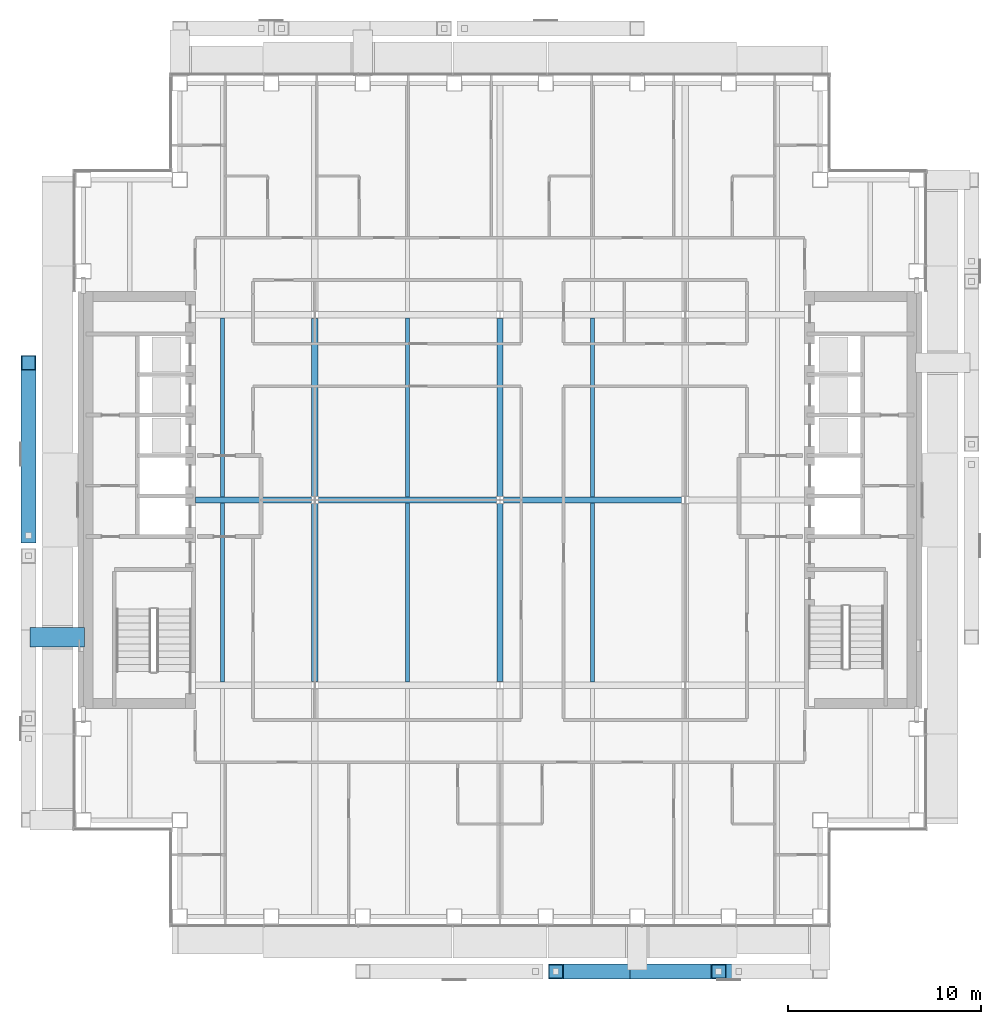
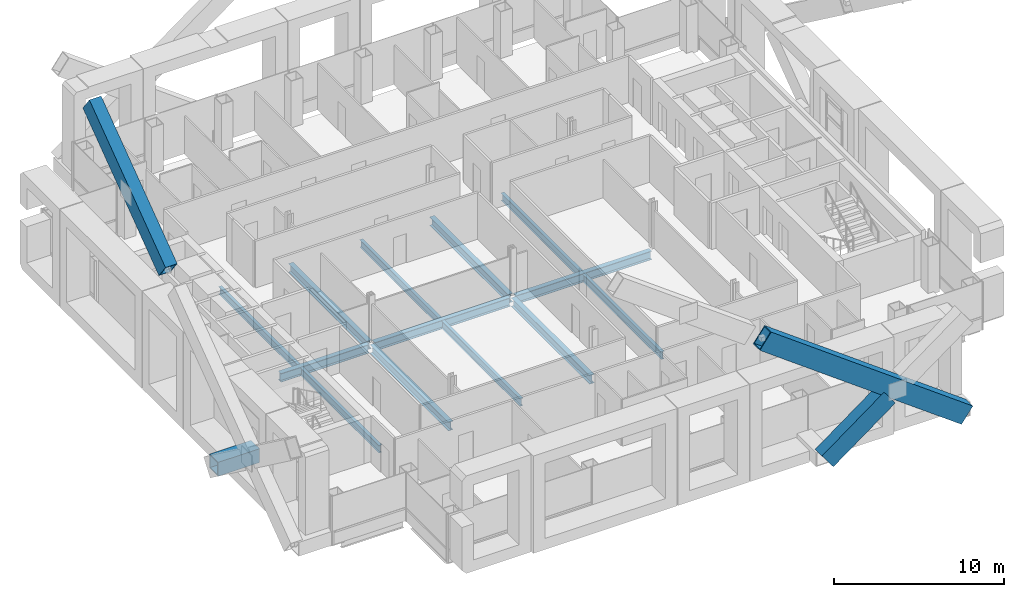
# One storey, part 5 of 22: 14 beams, 3 members.
"""IFC4 building model written with IfcOpenShell, lengths in metres."""

from ifc_helpers import new_model, si_unit, direction, frame, origin, origin_2d, place, context, subcontext, project, spatial, hollow_rectangle, i_section, extrude, material, material_profile, profile_set, type_object, element, save


model = new_model("IFC4")

# Units and contexts
model_context = context("Model", 3, precision=1e-05, world=origin(), true_north=direction((0.0, 1.0)))
body_context = subcontext(model_context, "Body", "Model", "MODEL_VIEW")
ifc_project = project(units=[si_unit("LENGTHUNIT", "METRE"), si_unit("AREAUNIT", "SQUARE_METRE"), si_unit("VOLUMEUNIT", "CUBIC_METRE"), si_unit("PLANEANGLEUNIT", "RADIAN"), si_unit("MASSUNIT", "GRAM", prefix="KILO")], contexts=[model_context])

# Site, building, storey
site_placement = place(None, origin())
site = spatial("IfcSite", under=ifc_project, at=site_placement, CompositionType="ELEMENT")
building_placement = place(site_placement, origin())
building = spatial("IfcBuilding", under=site, at=building_placement, Name="Cobrizo Arcos Hotel Tower", CompositionType="ELEMENT")
storey_placement = place(building_placement, frame((0.0, 0.0, 169.0)))
storey = spatial("IfcBuildingStorey", under=building, at=storey_placement, Name="L43", CompositionType="ELEMENT", Elevation=169.0)

# Beam
ifc_material_1 = material(Name="Steel ASTM A572 Grade 50", Category="steel")
ifc_material_profile_1 = material_profile(ifc_material_1, hollow_rectangle(XDim=1.0, YDim=1.0, WallThickness=0.06005859375, at=origin_2d()), Name="BOX 1000X1000X60")
ifc_profile_set_1 = profile_set([ifc_material_profile_1], Name="Steel ASTM A572 Grade 50")
beam_type_1 = type_object("IfcBeamType", Name="BOX 1000X1000X60 brace connector strut", PredefinedType="BEAM", material=ifc_profile_set_1)
beam_1_placement = place(storey_placement, frame((-21.550048828125, -7.1142578125, 0.5), z_axis=(-1.0, 0.0, 0.0), x_axis=(0.0, -1.0, 0.0)))
element("IfcBeam", 1, at=beam_1_placement, inside=storey, type_object=beam_type_1, Name="Perimeter brace stub BS1, zone Z3, west face, offset -7.11 m, L43", PredefinedType="BEAM", context=body_context, shape_type="SweptSolid", body=[
    extrude(hollow_rectangle(XDim=1.0, YDim=1.0, WallThickness=0.06005859375, at=origin_2d()), origin(), (0.0, 0.0, 1.0), 2.820068359375),
])

# Members
ifc_material_profile_2 = material_profile(ifc_material_1, hollow_rectangle(XDim=0.800048828125, YDim=1.300048828125, WallThickness=0.06005859375, at=origin_2d()), Name="BOX 800X1300X60")
ifc_profile_set_2 = profile_set([ifc_material_profile_2], Name="Steel ASTM A572 Grade 50")
member_type = type_object("IfcMemberType", Name="BOX 800X1300X60 perimeter brace", PredefinedType="BRACE", material=ifc_profile_set_2)
member_1_placement = place(storey_placement, frame((7.1142578125, -24.449951171875, 0.5), z_axis=(0.804623858684, 0.0, 0.593784848271), x_axis=(0.0, 1.0, 0.0)))
element("IfcMember", 2, at=member_1_placement, inside=storey, type_object=member_type, Name="Perimeter brace PBR3, zone Z3, south face, no. 12", PredefinedType="BRACE", context=body_context, shape_type="SweptSolid", body=[
    extrude(hollow_rectangle(XDim=0.800048828125, YDim=1.300048828125, WallThickness=0.06005859375, at=origin_2d()), origin(), (0.0, 0.0, 1.0), 5.244384765625),
])
member_2_placement = place(storey_placement, frame((16.60009765625, -24.449951171875, 0.5), z_axis=(-0.804630166974, 0.0, 0.593776299961), x_axis=(0.0, -1.0, 0.0)))
element("IfcMember", 3, at=member_2_placement, inside=storey, type_object=member_type, Name="Perimeter brace PBR3, zone Z3, south face, no. 13", PredefinedType="BRACE", context=body_context, shape_type="SweptSolid", body=[
    extrude(hollow_rectangle(XDim=0.800048828125, YDim=1.300048828125, WallThickness=0.06005859375, at=origin_2d()), origin(), (0.0, 0.0, 1.0), 17.033447265625),
])
member_3_placement = place(storey_placement, frame((-24.449951171875, -1.84814453125, 11.385986328125), z_axis=(0.0, 0.804620954099, 0.593788784186), x_axis=(-1.0, 0.0, 0.0)))
element("IfcMember", 4, at=member_3_placement, inside=storey, type_object=member_type, Name="Perimeter brace PBR3, zone Z3, west face, no. 13b", PredefinedType="BRACE", context=body_context, shape_type="SweptSolid", body=[
    extrude(hollow_rectangle(XDim=0.800048828125, YDim=1.300048828125, WallThickness=0.06005859375, at=origin_2d()), origin(), (0.0, 0.0, 1.0), 11.138671875),
])

# Beams
ifc_material_2 = material(Name="Steel ASTM A992 Grade 50", Category="steel")
ifc_material_profile_3 = material_profile(ifc_material_2, i_section(OverallWidth=0.209228515625, OverallDepth=0.533447265625, WebThickness=0.01025390625, FlangeThickness=0.015625, at=origin_2d()), Name="W21X62")
ifc_profile_set_3 = profile_set([ifc_material_profile_3], Name="Steel ASTM A992 Grade 50")
beam_type_2 = type_object("IfcBeamType", Name="W21X62 joist", PredefinedType="JOIST", material=ifc_profile_set_3)
for number, where, z_axis, x_axis, name in (
    (5, (-14.39990234375, -9.43603515625, -0.416748046875), (0.0, 1.0, 0.0), (-1.0, 0.0, 0.0), "Floor joist J1, L43, no. 004"),
    (6, (-14.39990234375, 0.163818359375, -0.416748046875), (0.0, 1.0, 0.0), (-1.0, 0.0, 0.0), "Floor joist J1, L43, no. 005"),
    (7, (-4.800048828125, -9.43603515625, -0.416748046875), (0.0, 1.0, 0.0), (-1.0, 0.0, 0.0), "Floor joist J1, L43, no. 008"),
    (8, (-4.800048828125, 0.163818359375, -0.416748046875), (0.0, 1.0, 0.0), (-1.0, 0.0, 0.0), "Floor joist J1, L43, no. 009"),
    (9, (4.800048828125, -9.43603515625, -0.416748046875), (0.0, 1.0, 0.0), (-1.0, 0.0, 0.0), "Floor joist J1, L43, no. 012"),
    (10, (4.800048828125, 0.163818359375, -0.416748046875), (0.0, 1.0, 0.0), (-1.0, 0.0, 0.0), "Floor joist J1, L43, no. 013"),
):
    element("IfcBeam", number, at=place(storey_placement, frame(where, z_axis=z_axis, x_axis=x_axis)), inside=storey, type_object=beam_type_2, Name=name, PredefinedType="JOIST", context=body_context, shape_type="SweptSolid", body=[
        extrude(i_section(OverallWidth=0.209228515625, OverallDepth=0.533447265625, WebThickness=0.01025390625, FlangeThickness=0.015625, at=origin_2d()), origin(), (0.0, 0.0, 1.0), 9.272216796875),
    ])
ifc_material_profile_4 = material_profile(ifc_material_2, i_section(OverallWidth=0.32763671875, OverallDepth=0.622314453125, WebThickness=0.015380859375, FlangeThickness=0.0244140625, at=origin_2d()), Name="W24X131")
ifc_profile_set_4 = profile_set([ifc_material_profile_4], Name="Steel ASTM A992 Grade 50")
beam_type_3 = type_object("IfcBeamType", Name="W24X131 girder", PredefinedType="BEAM", material=ifc_profile_set_4)
beam_2_placement = place(storey_placement, frame((-15.7900390625, 0.0, -0.461181640625), z_axis=(1.0, 0.0, 0.0), x_axis=(0.0, 1.0, 0.0)))
element("IfcBeam", 11, at=beam_2_placement, inside=storey, type_object=beam_type_3, Name="Floor girder G1, L43, no. 005", PredefinedType="BEAM", context=body_context, shape_type="SweptSolid", body=[
    extrude(i_section(OverallWidth=0.32763671875, OverallDepth=0.622314453125, WebThickness=0.015380859375, FlangeThickness=0.0244140625, at=origin_2d()), origin(), (0.0, 0.0, 1.0), 6.00341796875),
])
for number, where, z_axis, x_axis, name in (
    (12, (-9.413330078125, 0.0, -0.461181640625), (1.0, 0.0, 0.0), (0.0, 1.0, 0.0), "Floor girder G1, L43, no. 006"),
    (13, (0.186767578125, 0.0, -0.461181640625), (1.0, 0.0, 0.0), (0.0, 1.0, 0.0), "Floor girder G1, L43, no. 007"),
    (14, (-9.60009765625, -9.413330078125, -0.461181640625), (0.0, 1.0, 0.0), (-1.0, 0.0, 0.0), "Floor girder G1, L43, no. 014"),
    (15, (-9.60009765625, 0.186767578125, -0.461181640625), (0.0, 1.0, 0.0), (-1.0, 0.0, 0.0), "Floor girder G1, L43, no. 015"),
    (16, (0.0, -9.413330078125, -0.461181640625), (0.0, 1.0, 0.0), (-1.0, 0.0, 0.0), "Floor girder G1, L43, no. 018"),
    (17, (0.0, 0.186767578125, -0.461181640625), (0.0, 1.0, 0.0), (-1.0, 0.0, 0.0), "Floor girder G1, L43, no. 019"),
):
    element("IfcBeam", number, at=place(storey_placement, frame(where, z_axis=z_axis, x_axis=x_axis)), inside=storey, type_object=beam_type_3, Name=name, PredefinedType="BEAM", context=body_context, shape_type="SweptSolid", body=[
        extrude(i_section(OverallWidth=0.32763671875, OverallDepth=0.622314453125, WebThickness=0.015380859375, FlangeThickness=0.0244140625, at=origin_2d()), origin(), (0.0, 0.0, 1.0), 9.2265625),
    ])

save(model, "model.ifc")
